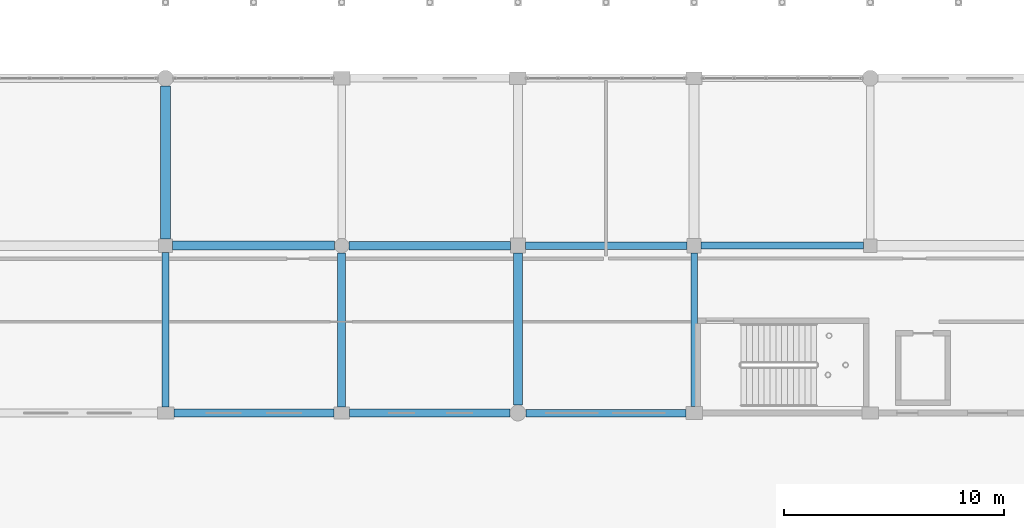
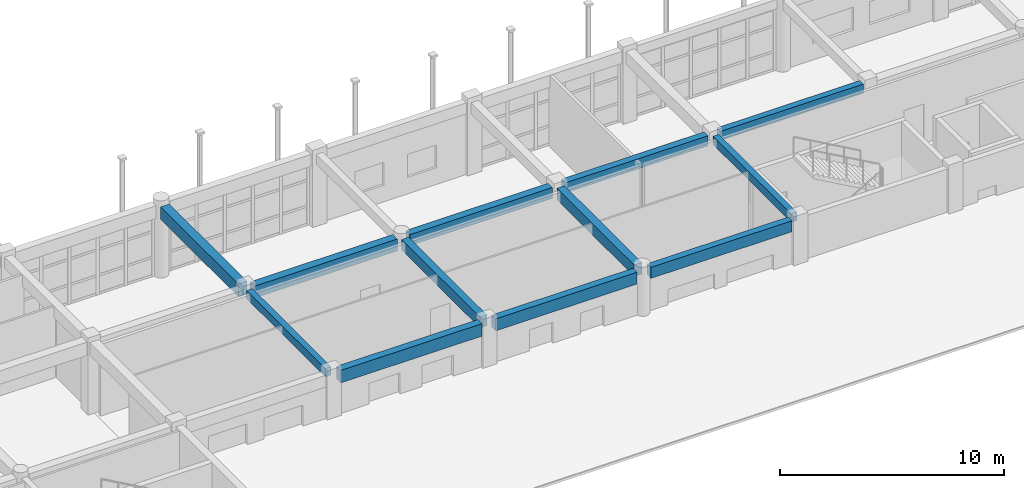
# One storey, part 71 of 195: 12 beams.
"""IFC4 building model written with IfcOpenShell, lengths in metres."""

from ifc_helpers import new_model, si_unit, direction, frame, origin, origin_2d, place, context, subcontext, project, spatial, rectangle, extrude, material, material_profile, profile_set, type_object, element, save


model = new_model("IFC4")

# Units and contexts
model_context = context("Model", 3, precision=1e-05, world=origin(), true_north=direction((0.0, 1.0)))
body_context = subcontext(model_context, "Body", "Model", "MODEL_VIEW")
ifc_project = project(units=[si_unit("LENGTHUNIT", "METRE"), si_unit("AREAUNIT", "SQUARE_METRE"), si_unit("VOLUMEUNIT", "CUBIC_METRE"), si_unit("PLANEANGLEUNIT", "RADIAN"), si_unit("MASSUNIT", "GRAM", prefix="KILO")], contexts=[model_context])

# Site, building, storey
site_placement = place(None, origin())
site = spatial("IfcSite", under=ifc_project, at=site_placement, CompositionType="ELEMENT")
building_placement = place(site_placement, origin())
building = spatial("IfcBuilding", under=site, at=building_placement, Name="Kharva Crest Polytechnic", CompositionType="ELEMENT")
storey_placement = place(building_placement, frame((0.0, 0.0, 9.0)))
storey = spatial("IfcBuildingStorey", under=building, at=storey_placement, Name="L02", CompositionType="ELEMENT", Elevation=9.0)

# Beams
ifc_material = material(Name="Concrete C35/45", Category="concrete")
ifc_material_profile_1 = material_profile(ifc_material, rectangle(XDim=0.300048828125, YDim=0.449951171875, at=origin_2d()), Name="RECT 300 X 450")
ifc_profile_set_1 = profile_set([ifc_material_profile_1], Name="Concrete C35/45")
beam_type_1 = type_object("IfcBeamType", Name="BM-RC-300X450", PredefinedType="BEAM", material=ifc_profile_set_1)
beam_1_placement = place(storey_placement, frame((64.0, 7.875, 3.695068359375), z_axis=(0.0, 1.0, 0.0), x_axis=(-1.0, 0.0, 0.0)))
element("IfcBeam", 1, at=beam_1_placement, inside=storey, type_object=beam_type_1, Name="L02 Girder 9/B-C", PredefinedType="BEAM", context=body_context, shape_type="SweptSolid", body=[
    extrude(rectangle(XDim=0.300048828125, YDim=0.449951171875, at=origin_2d()), origin(), (0.0, 0.0, 1.0), 7.014892578125),
])
beam_2_placement = place(storey_placement, frame((88.0, 7.89990234375, 3.695068359375), z_axis=(0.0, 1.0, 0.0), x_axis=(-1.0, 0.0, 0.0)))
element("IfcBeam", 2, at=beam_2_placement, inside=storey, type_object=beam_type_1, Name="L02 Girder 12/B-C", PredefinedType="BEAM", context=body_context, shape_type="SweptSolid", body=[
    extrude(rectangle(XDim=0.300048828125, YDim=0.449951171875, at=origin_2d()), origin(), (0.0, 0.0, 1.0), 6.97509765625),
])
ifc_material_profile_2 = material_profile(ifc_material, rectangle(XDim=0.320068359375, YDim=0.5, at=origin_2d()), Name="RECT 320 X 500")
ifc_profile_set_2 = profile_set([ifc_material_profile_2], Name="Concrete C35/45")
beam_type_2 = type_object("IfcBeamType", Name="BM-RC-320X500", PredefinedType="BEAM", material=ifc_profile_set_2)
beam_3_placement = place(storey_placement, frame((88.324951171875, 15.199951171875, 3.669921875), z_axis=(1.0, 0.0, 0.0), x_axis=(0.0, 1.0, 0.0)))
element("IfcBeam", 3, at=beam_3_placement, inside=storey, type_object=beam_type_2, Name="L02 Beam C/12-13", PredefinedType="BEAM", context=body_context, shape_type="SweptSolid", body=[
    extrude(rectangle(XDim=0.320068359375, YDim=0.5, at=origin_2d()), origin(), (0.0, 0.0, 1.0), 7.364990234375),
])
ifc_material_profile_3 = material_profile(ifc_material, rectangle(XDim=0.35009765625, YDim=0.550048828125, at=origin_2d()), Name="RECT 350 X 550")
ifc_profile_set_3 = profile_set([ifc_material_profile_3], Name="Concrete C35/45")
beam_type_3 = type_object("IfcBeamType", Name="BM-RC-350X550", PredefinedType="BEAM", material=ifc_profile_set_3)
beam_4_placement = place(storey_placement, frame((80.340087890625, 15.199951171875, 3.64501953125), z_axis=(1.0, 0.0, 0.0), x_axis=(0.0, 1.0, 0.0)))
element("IfcBeam", 4, at=beam_4_placement, inside=storey, type_object=beam_type_3, Name="L02 Beam C/11-12", PredefinedType="BEAM", context=body_context, shape_type="SweptSolid", body=[
    extrude(rectangle(XDim=0.35009765625, YDim=0.550048828125, at=origin_2d()), origin(), (0.0, 0.0, 1.0), 7.3349609375),
])
ifc_material_profile_4 = material_profile(ifc_material, rectangle(XDim=0.360107421875, YDim=0.580078125, at=origin_2d()), Name="RECT 360 X 580")
ifc_profile_set_4 = profile_set([ifc_material_profile_4], Name="Concrete C35/45")
beam_type_4 = type_object("IfcBeamType", Name="BM-RC-360X580", PredefinedType="BEAM", material=ifc_profile_set_4)
beam_5_placement = place(storey_placement, frame((72.0, 7.875, 3.6298828125), z_axis=(0.0, 1.0, 0.0), x_axis=(-1.0, 0.0, 0.0)))
element("IfcBeam", 5, at=beam_5_placement, inside=storey, type_object=beam_type_4, Name="L02 Girder 10/B-C", PredefinedType="BEAM", context=body_context, shape_type="SweptSolid", body=[
    extrude(rectangle(XDim=0.360107421875, YDim=0.580078125, at=origin_2d()), origin(), (0.0, 0.0, 1.0), 6.9951171875),
])
ifc_material_profile_5 = material_profile(ifc_material, rectangle(XDim=0.3798828125, YDim=0.60009765625, at=origin_2d()), Name="RECT 380 X 600")
ifc_profile_set_5 = profile_set([ifc_material_profile_5], Name="Concrete C35/45")
beam_type_5 = type_object("IfcBeamType", Name="BM-RC-380X600", PredefinedType="BEAM", material=ifc_profile_set_5)
beam_6_placement = place(storey_placement, frame((72.330078125, 15.199951171875, 3.6201171875), z_axis=(1.0, 0.0, 0.0), x_axis=(0.0, 1.0, 0.0)))
element("IfcBeam", 6, at=beam_6_placement, inside=storey, type_object=beam_type_5, Name="L02 Beam C/10-11", PredefinedType="BEAM", context=body_context, shape_type="SweptSolid", body=[
    extrude(rectangle(XDim=0.3798828125, YDim=0.60009765625, at=origin_2d()), origin(), (0.0, 0.0, 1.0), 7.329833984375),
])
ifc_material_profile_6 = material_profile(ifc_material, rectangle(XDim=0.39990234375, YDim=0.6201171875, at=origin_2d()), Name="RECT 400 X 620")
ifc_profile_set_6 = profile_set([ifc_material_profile_6], Name="Concrete C35/45")
beam_type_6 = type_object("IfcBeamType", Name="BM-RC-400X620", PredefinedType="BEAM", material=ifc_profile_set_6)
beam_7_placement = place(storey_placement, frame((80.0, 7.9599609375, 3.610107421875), z_axis=(0.0, 1.0, 0.0), x_axis=(-1.0, 0.0, 0.0)))
element("IfcBeam", 7, at=beam_7_placement, inside=storey, type_object=beam_type_6, Name="L02 Girder 11/B-C", PredefinedType="BEAM", context=body_context, shape_type="SweptSolid", body=[
    extrude(rectangle(XDim=0.39990234375, YDim=0.6201171875, at=origin_2d()), origin(), (0.0, 0.0, 1.0), 6.900146484375),
])
ifc_material_profile_7 = material_profile(ifc_material, rectangle(XDim=0.39990234375, YDim=0.64990234375, at=origin_2d()), Name="RECT 400 X 650")
ifc_profile_set_7 = profile_set([ifc_material_profile_7], Name="Concrete C35/45")
beam_type_7 = type_object("IfcBeamType", Name="BM-RC-400X650", PredefinedType="BEAM", material=ifc_profile_set_7)
beam_8_placement = place(storey_placement, frame((64.31005859375, 15.199951171875, 3.594970703125), z_axis=(1.0, 0.0, 0.0), x_axis=(0.0, 1.0, 0.0)))
element("IfcBeam", 8, at=beam_8_placement, inside=storey, type_object=beam_type_7, Name="L02 Beam C/9-10", PredefinedType="BEAM", context=body_context, shape_type="SweptSolid", body=[
    extrude(rectangle(XDim=0.39990234375, YDim=0.64990234375, at=origin_2d()), origin(), (0.0, 0.0, 1.0), 7.35986328125),
])
ifc_material_profile_8 = material_profile(ifc_material, rectangle(XDim=0.449951171875, YDim=0.679931640625, at=origin_2d()), Name="RECT 450 X 680")
ifc_profile_set_8 = profile_set([ifc_material_profile_8], Name="Concrete C35/45")
beam_type_8 = type_object("IfcBeamType", Name="BM-RC-450X680", PredefinedType="BEAM", material=ifc_profile_set_8)
beam_9_placement = place(storey_placement, frame((64.0, 15.510009765625, 3.580078125), z_axis=(0.0, 1.0, 0.0), x_axis=(-1.0, 0.0, 0.0)))
element("IfcBeam", 9, at=beam_9_placement, inside=storey, type_object=beam_type_8, Name="L02 Girder 9/C-D", PredefinedType="BEAM", context=body_context, shape_type="SweptSolid", body=[
    extrude(rectangle(XDim=0.449951171875, YDim=0.679931640625, at=origin_2d()), origin(), (0.0, 0.0, 1.0), 6.929931640625),
])
ifc_material_profile_9 = material_profile(ifc_material, rectangle(XDim=0.340087890625, YDim=0.60009765625, at=origin_2d()), Name="RECT 340 X 600")
ifc_profile_set_9 = profile_set([ifc_material_profile_9], Name="Concrete C35/45")
beam_type_9 = type_object("IfcBeamType", Name="SP-RC-340X600", PredefinedType="SPANDREL", material=ifc_profile_set_9)
beam_10_placement = place(storey_placement, frame((80.360107421875, 7.60009765625, 3.6201171875), z_axis=(1.0, 0.0, 0.0), x_axis=(0.0, 1.0, 0.0)))
element("IfcBeam", 10, at=beam_10_placement, inside=storey, type_object=beam_type_9, Name="L02 Beam B/11-12", PredefinedType="SPANDREL", context=body_context, shape_type="SweptSolid", body=[
    extrude(rectangle(XDim=0.340087890625, YDim=0.60009765625, at=origin_2d()), origin(), (0.0, 0.0, 1.0), 7.264892578125),
])
ifc_material_profile_10 = material_profile(ifc_material, rectangle(XDim=0.360107421875, YDim=0.64990234375, at=origin_2d()), Name="RECT 360 X 650")
ifc_profile_set_10 = profile_set([ifc_material_profile_10], Name="Concrete C35/45")
beam_type_10 = type_object("IfcBeamType", Name="SP-RC-360X650", PredefinedType="SPANDREL", material=ifc_profile_set_10)
beam_11_placement = place(storey_placement, frame((72.360107421875, 7.60009765625, 3.594970703125), z_axis=(1.0, 0.0, 0.0), x_axis=(0.0, 1.0, 0.0)))
element("IfcBeam", 11, at=beam_11_placement, inside=storey, type_object=beam_type_10, Name="L02 Beam B/10-11", PredefinedType="SPANDREL", context=body_context, shape_type="SweptSolid", body=[
    extrude(rectangle(XDim=0.360107421875, YDim=0.64990234375, at=origin_2d()), origin(), (0.0, 0.0, 1.0), 7.27978515625),
])
ifc_material_profile_11 = material_profile(ifc_material, rectangle(XDim=0.3798828125, YDim=0.679931640625, at=origin_2d()), Name="RECT 380 X 680")
ifc_profile_set_11 = profile_set([ifc_material_profile_11], Name="Concrete C35/45")
beam_type_11 = type_object("IfcBeamType", Name="SP-RC-380X680", PredefinedType="SPANDREL", material=ifc_profile_set_11)
beam_12_placement = place(storey_placement, frame((64.375, 7.60009765625, 3.580078125), z_axis=(1.0, 0.0, 0.0), x_axis=(0.0, 1.0, 0.0)))
element("IfcBeam", 12, at=beam_12_placement, inside=storey, type_object=beam_type_11, Name="L02 Beam B/9-10", PredefinedType="SPANDREL", context=body_context, shape_type="SweptSolid", body=[
    extrude(rectangle(XDim=0.3798828125, YDim=0.679931640625, at=origin_2d()), origin(), (0.0, 0.0, 1.0), 7.264892578125),
])

save(model, "model.ifc")
